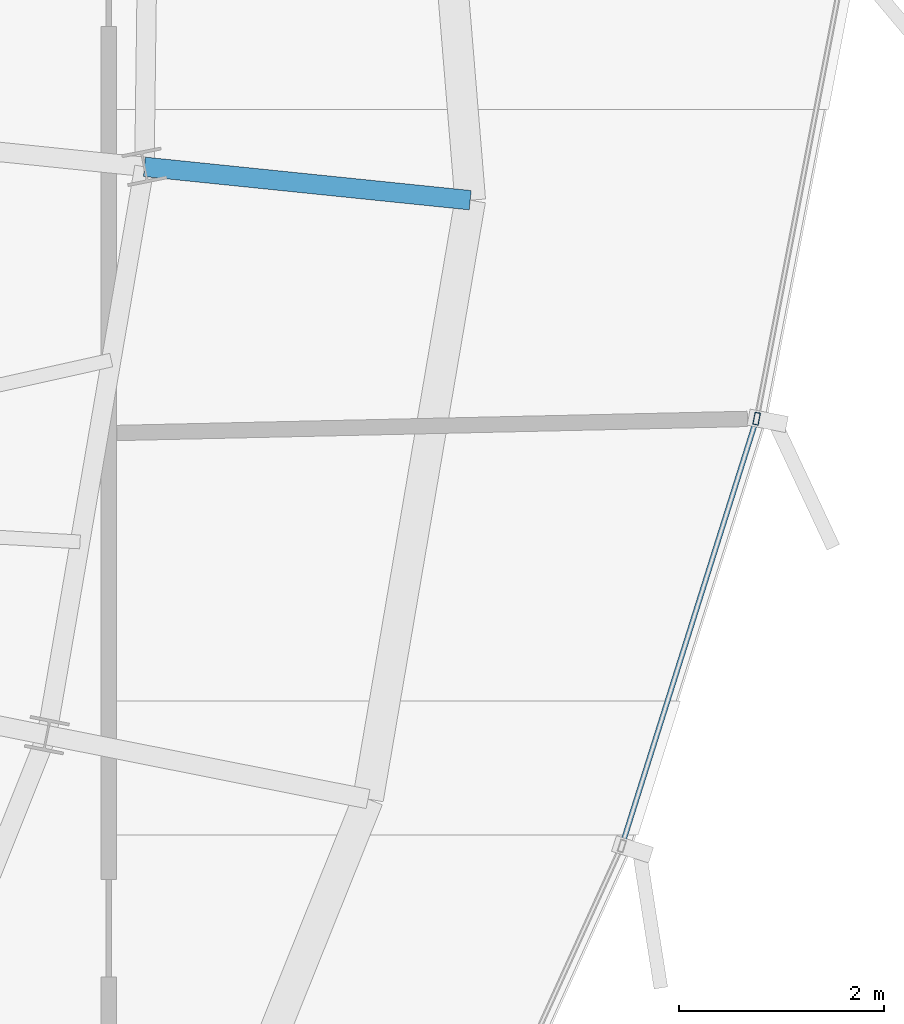
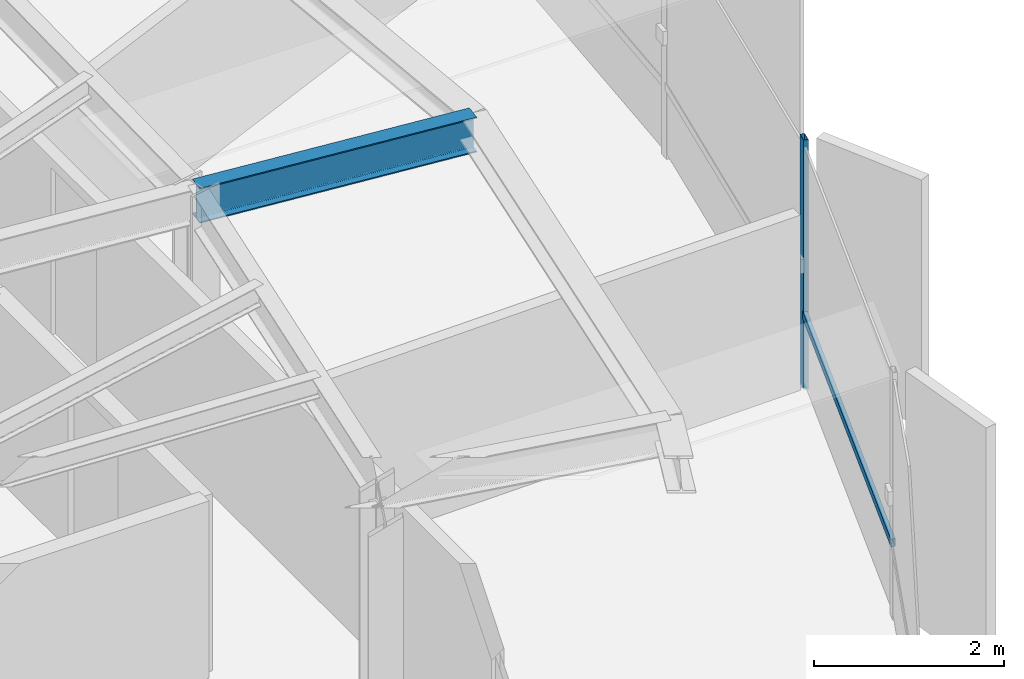
# One storey, part 15 of 32: 2 members, 1 beam, 1 element without a shape of its own.
"""IFC4 building model written with IfcOpenShell, lengths in metres."""

from ifc_helpers import new_model, si_unit, direction, frame, origin, origin_2d, place, context, subcontext, project, spatial, hollow_rectangle, i_section, extrude, source, transform, mapped, material, layer, layer_set, material_profile, profile_set, type_object, element, aggregate, save


model = new_model("IFC4")

# Units and contexts
model_context = context("Model", 3, precision=1e-05, world=origin(), true_north=direction((0.0, 1.0)))
body_context = subcontext(model_context, "Body", "Model", "MODEL_VIEW")
ifc_project = project(units=[si_unit("LENGTHUNIT", "METRE"), si_unit("AREAUNIT", "SQUARE_METRE"), si_unit("VOLUMEUNIT", "CUBIC_METRE"), si_unit("PLANEANGLEUNIT", "RADIAN"), si_unit("MASSUNIT", "GRAM", prefix="KILO"), si_unit("THERMODYNAMICTEMPERATUREUNIT", "KELVIN")], contexts=[model_context])

# Site, building, storey
site_placement = place(None, origin())
site = spatial("IfcSite", under=ifc_project, at=site_placement, CompositionType="ELEMENT")
building_placement = place(site_placement, origin())
building = spatial("IfcBuilding", under=site, at=building_placement, Name="Kethvar Cultural Tower", CompositionType="ELEMENT")
storey_placement = place(building_placement, frame((0.0, 0.0, 252.550048828125)))
storey = spatial("IfcBuildingStorey", under=building, at=storey_placement, Name="L66", CompositionType="ELEMENT", Elevation=252.550048828125)

# Beam
ifc_material_1 = material(Name="Steel S355J2", Category="steel")
ifc_material_profile_1 = material_profile(ifc_material_1, i_section(OverallWidth=0.18994140625, OverallDepth=0.449951171875, WebThickness=0.009521484375, FlangeThickness=0.0146484375, FilletRadius=0.02099609375, at=origin_2d()), Name="Steel S355J2 — IPE450")
ifc_profile_set_1 = profile_set([ifc_material_profile_1], Name="Steel S355J2 — IPE450")
beam_type = type_object("IfcBeamType", Name="BM-IPE450", PredefinedType="BEAM", material=ifc_profile_set_1)
shared_shape_1 = source(origin(), body_context, "Body", "SweptSolid", [
    extrude(i_section(OverallWidth=0.18994140625, OverallDepth=0.449951171875, WebThickness=0.009521484375, FlangeThickness=0.0146484375, FilletRadius=0.02099609375, at=origin_2d()), origin(), (0.0, 0.0, 1.0), 3.199951171875),
])
beam_placement = place(storey_placement, frame((61.237060546875, 30.671630859375, 2.98291015625), z_axis=(0.994784019447, -0.10200369921, 0.0), x_axis=(0.10200369921, 0.994784019447, 0.0)))
element("IfcBeam", 1, at=beam_placement, inside=storey, type_object=beam_type, Name="L66 Perimeter Cantilever Beam RC-01", PredefinedType="BEAM", context=body_context, shape_type="MappedRepresentation", body=[
    mapped(shared_shape_1, transform((0.0, 0.0, 0.0), scale=1.0)),
])

# Curtain wall, members
ifc_material_2 = material(Name="Aluminium 6063-T6", Category="aluminium")
ifc_layer = layer(ifc_material_2, 0.179931640625, Name="Aluminium 6063-T6", Category="aluminium")
ifc_layer_set = layer_set([ifc_layer], Name="Aluminium 6063-T6 (180 mm)")
curtain_wall_type = type_object("IfcCurtainWallType", Name="CW-SYS-05-Z56", PredefinedType="NOTDEFINED", material=ifc_layer_set)
curtain_wall_placement = place(storey_placement, origin())
curtain_wall = element("IfcCurtainWall", 2, at=curtain_wall_placement, inside=storey, type_object=curtain_wall_type, Name="L66 Curtain Wall Run 06", PredefinedType="NOTDEFINED")
ifc_material_profile_2 = material_profile(ifc_material_2, hollow_rectangle(XDim=0.054931640625, YDim=0.1201171875, WallThickness=0.00390625, at=origin_2d()), Name="Aluminium 6063-T6 — RHS120x55x4")
ifc_profile_set_2 = profile_set([ifc_material_profile_2], Name="Aluminium 6063-T6 — RHS120x55x4")
member_type_1 = type_object("IfcMemberType", Name="CW-SYS-05-Z56-MUL", PredefinedType="MULLION", material=ifc_profile_set_2)
shared_shape_2 = source(origin(), body_context, "Body", "SweptSolid", [
    extrude(hollow_rectangle(XDim=0.054931640625, YDim=0.1201171875, WallThickness=0.00390625, at=origin_2d()), origin(), (0.0, 0.0, 1.0), 3.2099609375),
])
member_1_placement = place(storey_placement, frame((67.218994140625, 28.210693359375, 0.0), z_axis=(0.0, 0.0, 1.0), x_axis=(-0.981968612365, 0.189044027493, 0.0)))
member_1 = element("IfcMember", 3, at=member_1_placement, type_object=member_type_1, Name="CW-L66-R06 Mullion 4", PredefinedType="MULLION", context=body_context, shape_type="MappedRepresentation", body=[
    mapped(shared_shape_2, transform((0.0, 0.0, 0.0), scale=1.0)),
])
ifc_material_profile_3 = material_profile(ifc_material_2, hollow_rectangle(XDim=0.050048828125, YDim=0.10009765625, WallThickness=0.00390625, at=origin_2d()), Name="Aluminium 6063-T6 — RHS100x50x4")
ifc_profile_set_3 = profile_set([ifc_material_profile_3], Name="Aluminium 6063-T6 — RHS100x50x4")
member_type_2 = type_object("IfcMemberType", Name="CW-SYS-05-Z56-TRN", PredefinedType="USERDEFINED", material=ifc_profile_set_3)
shared_shape_3 = source(origin(), body_context, "Body", "SweptSolid", [
    extrude(hollow_rectangle(XDim=0.050048828125, YDim=0.10009765625, WallThickness=0.00390625, at=origin_2d()), origin(), (0.0, 0.0, 1.0), 4.31005859375),
])
member_2_placement = place(storey_placement, frame((65.91357421875, 24.073486328125, 0.949951171875), z_axis=(0.300773512333, 0.953695598333, 0.0), x_axis=(-0.953695598333, 0.300773512333, 0.0)))
member_2 = element("IfcMember", 4, at=member_2_placement, type_object=member_type_2, Name="CW-L66-R06 Transom 3", ObjectType="TRANSOM", PredefinedType="USERDEFINED", context=body_context, shape_type="MappedRepresentation", body=[
    mapped(shared_shape_3, transform((0.0, 0.0, 0.0), scale=1.0)),
])
aggregate(curtain_wall, [member_1, member_2])

save(model, "model.ifc")
